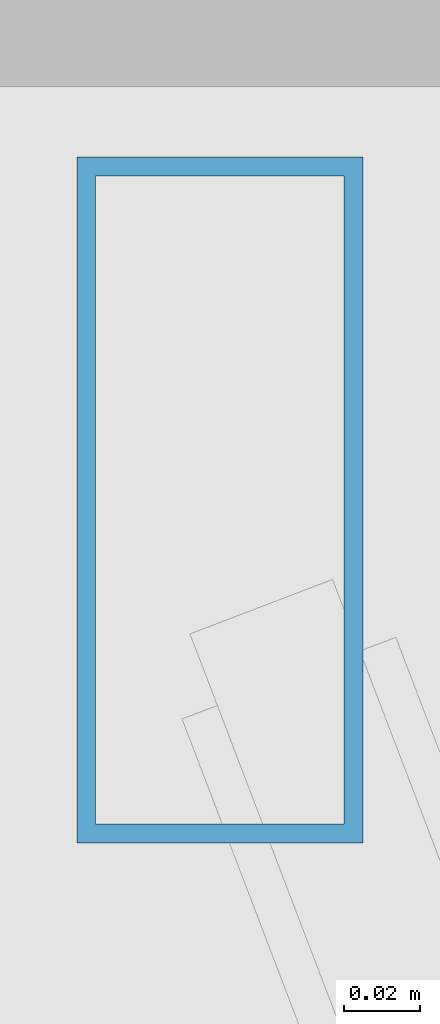
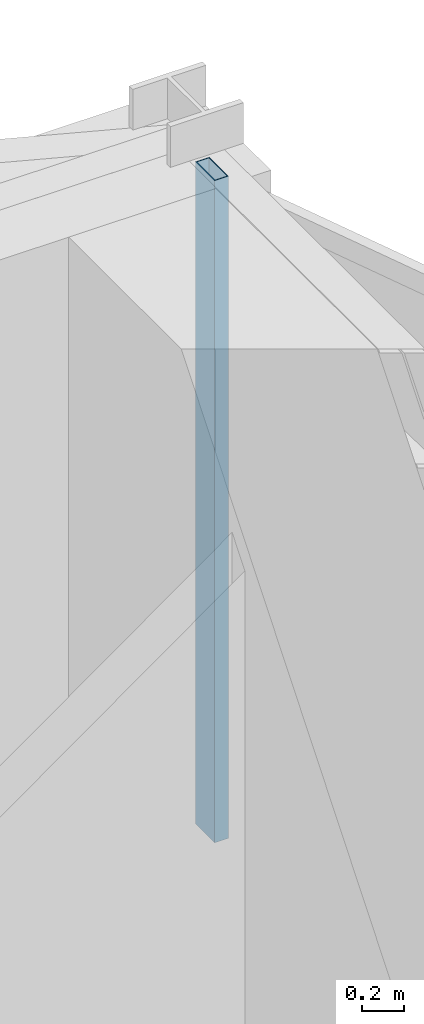
# One storey, part 18 of 26: 1 member, 1 element without a shape of its own.
"""IFC4 building model written with IfcOpenShell, lengths in metres."""

from ifc_helpers import new_model, si_unit, direction, frame, origin, origin_2d, place, context, subcontext, project, spatial, hollow_rectangle, extrude, material, layer, layer_set, material_profile, profile_set, type_object, element, aggregate, save


model = new_model("IFC4")

# Units and contexts
model_context = context("Model", 3, precision=1e-05, world=origin(), true_north=direction((0.0, 1.0)))
body_context = subcontext(model_context, "Body", "Model", "MODEL_VIEW")
ifc_project = project(units=[si_unit("LENGTHUNIT", "METRE"), si_unit("AREAUNIT", "SQUARE_METRE"), si_unit("VOLUMEUNIT", "CUBIC_METRE"), si_unit("PLANEANGLEUNIT", "RADIAN"), si_unit("MASSUNIT", "GRAM", prefix="KILO")], contexts=[model_context])

# Site, building, storey
site_placement = place(None, origin())
site = spatial("IfcSite", under=ifc_project, at=site_placement, CompositionType="ELEMENT")
building_placement = place(site_placement, origin())
building = spatial("IfcBuilding", under=site, at=building_placement, Name="Veymaron Broadcast Tower", CompositionType="ELEMENT")
storey_placement = place(building_placement, frame((0.0, 0.0, 157.35009765625)))
storey = spatial("IfcBuildingStorey", under=building, at=storey_placement, Name="L36", CompositionType="ELEMENT", Elevation=157.35009765625)

# Curtain wall, member
ifc_material_1 = material(Name="Anodised aluminium AA 6063-T6 and laminated low-E dark glass", Category="aluminium")
ifc_layer = layer(ifc_material_1, 0.179931640625)
ifc_layer_set = layer_set([ifc_layer], Name="Anodised aluminium AA 6063-T6 and laminated low-E dark glass")
curtain_wall_type = type_object("IfcCurtainWallType", Name="CW-SYS-03", PredefinedType="NOTDEFINED", material=ifc_layer_set)
curtain_wall_placement = place(storey_placement, origin())
curtain_wall = element("IfcCurtainWall", 1, at=curtain_wall_placement, inside=storey, type_object=curtain_wall_type, Name="L36 dark-glass curtain wall CW-L36-E3-1", PredefinedType="NOTDEFINED")
ifc_material_2 = material(Name="Anodised aluminium AA 6063-T6", Category="aluminium")
ifc_material_profile = material_profile(ifc_material_2, hollow_rectangle(XDim=0.074951171875, YDim=0.179931640625, WallThickness=0.0048828125, at=origin_2d()), Name="AL180X75X5")
ifc_profile_set = profile_set([ifc_material_profile], Name="Anodised aluminium AA 6063-T6")
member_type = type_object("IfcMemberType", Name="CW-MUL-02", PredefinedType="MULLION", material=ifc_profile_set)
member_placement = place(storey_placement, frame((54.5654296875, 31.697998046875, 0.0), z_axis=(0.0, 0.0, 1.0), x_axis=(1.0, 0.0, 0.0)))
member = element("IfcMember", 2, at=member_placement, type_object=member_type, Name="CW-L36-E3-1 mullion 2", PredefinedType="MULLION", context=body_context, shape_type="SweptSolid", body=[
    extrude(hollow_rectangle(XDim=0.074951171875, YDim=0.179931640625, WallThickness=0.0048828125, at=origin_2d()), origin(), (0.0, 0.0, 1.0), 3.809814453125),
])
aggregate(curtain_wall, [member])

save(model, "model.ifc")
